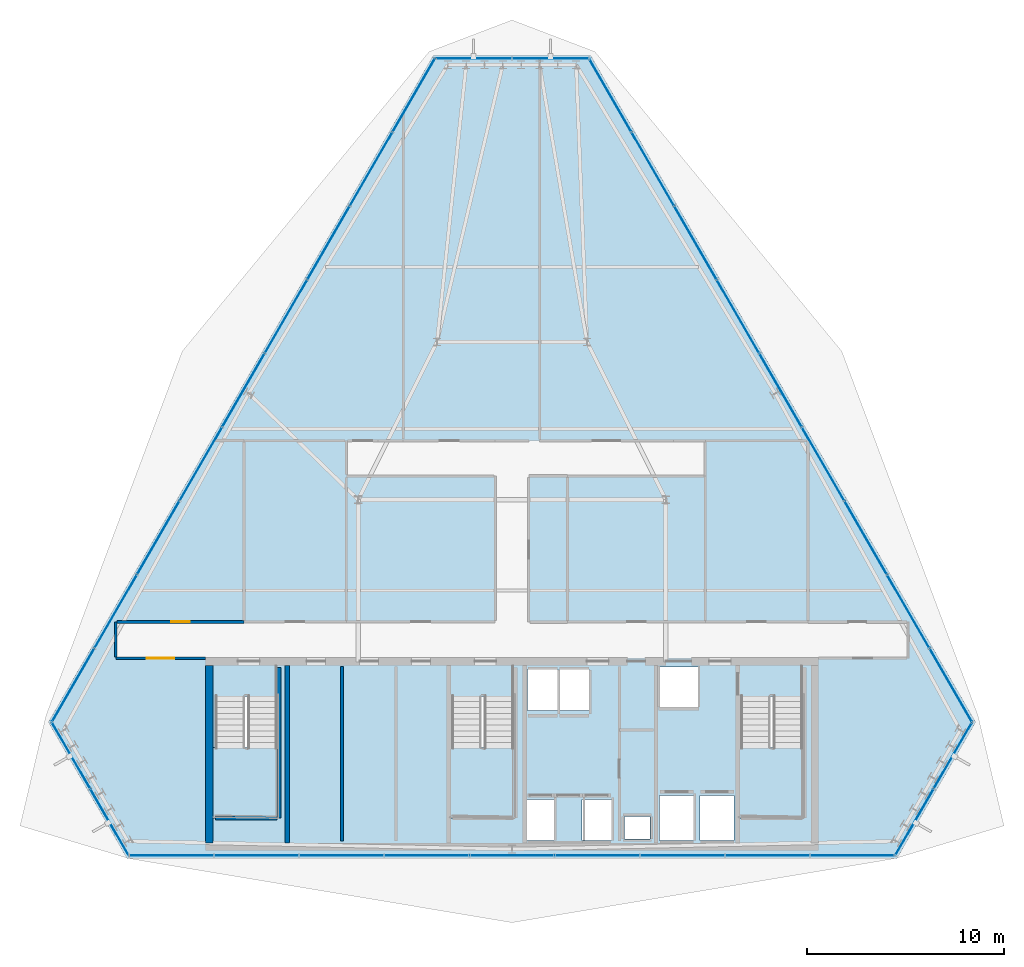
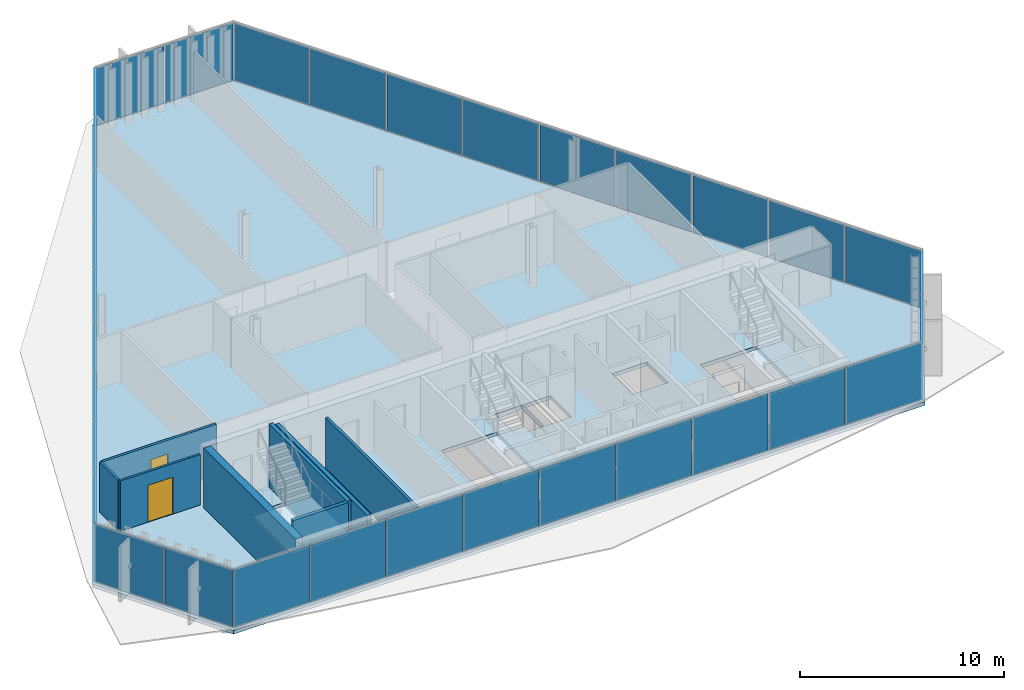
# One storey, part 28 of 37: 33 plates, 8 walls, 4 slabs, 2 doors, 2 openings, 9 elements without a shape of their own.
"""IFC4 building model written with IfcOpenShell, lengths in metres."""

import ifcopenshell
import ifcopenshell.guid

model = None  # the IFC model being written
_history = None  # IfcOwnerHistory: only IFC2X3 demands one
_inside = {}  # id of a spatial element -> (the spatial element, [elements in it])
_under = {}  # id of a project, library or spatial element -> (it, [spatial elements below it])
_declared = {}  # id of a project -> (the project, [libraries it declares])
_typed = {}  # id of a type object -> (the type object, [elements of that type])
_made_of = {}  # id of a material, layer set ... -> (it, [elements and type objects made of it])


def new_model(schema):
    """Start an empty IFC model of exactly this schema.

    Asked for "IFC4X3", IfcOpenShell would pick the latest addendum, in which some entities
    have other attributes; the version numbers below select the first issue.
    IFC2X3 requires an IfcOwnerHistory on every rooted entity: one is made here for all.
    """
    global model, _history
    if schema == "IFC4X3":
        model = ifcopenshell.file(schema_version=(4, 3, 0, 0))
    else:
        model = ifcopenshell.file(schema=schema)
    _inside.clear()
    _under.clear()
    _declared.clear()
    _typed.clear()
    _made_of.clear()
    _history = None
    if model.schema == "IFC2X3":
        org = make("IfcOrganization", Name="unknown")
        user = make(
            "IfcPersonAndOrganization",
            ThePerson=make("IfcPerson", FamilyName="unknown"),
            TheOrganization=org,
        )
        app = make(
            "IfcApplication",
            ApplicationDeveloper=org,
            Version="unknown",
            ApplicationFullName="unknown",
            ApplicationIdentifier="unknown",
        )
        _history = make(
            "IfcOwnerHistory",
            OwningUser=user,
            OwningApplication=app,
            ChangeAction="ADDED",
            CreationDate=0,
        )
    return model


def make(cls, **values):
    """One entity of the class cls with the attributes given. An attribute that is None is left unset."""
    return model.create_entity(
        cls, **{name: value for name, value in values.items() if value is not None}
    )


def rooted(cls, **values):
    """An entity with a GlobalId (a new one), such as an element, a storey or a relation."""
    return make(cls, GlobalId=ifcopenshell.guid.new(), OwnerHistory=_history, **values)


def si_unit(unit_type, name, prefix=None):
    """IfcSIUnit, for example si_unit("LENGTHUNIT", "METRE", prefix="MILLI")."""
    return make("IfcSIUnit", UnitType=unit_type, Prefix=prefix, Name=name)


def assignment(units):
    """IfcUnitAssignment: the units of a project."""
    return None if units is None else make("IfcUnitAssignment", Units=units)


def point(xyz):
    """IfcCartesianPoint."""
    return None if xyz is None else make("IfcCartesianPoint", Coordinates=xyz)


def direction(xyz):
    """IfcDirection."""
    return None if xyz is None else make("IfcDirection", DirectionRatios=xyz)


def frame(location, z_axis=None, x_axis=None):
    """IfcAxis2Placement3D, a coordinate frame: its origin and axes. An axis left out is left unset."""
    return make(
        "IfcAxis2Placement3D",
        Location=point(location),
        Axis=direction(z_axis),
        RefDirection=direction(x_axis),
    )


def frame_2d(location, x_axis=None):
    """IfcAxis2Placement2D, a coordinate frame in the plane: its origin and x axis."""
    return make(
        "IfcAxis2Placement2D", Location=point(location), RefDirection=direction(x_axis)
    )


def origin():
    """The frame at (0, 0, 0) with its axes left unset."""
    return frame((0.0, 0.0, 0.0))


def origin_2d():
    """The frame at (0, 0) in the plane with its x axis left unset."""
    return frame_2d((0.0, 0.0))


def place(relative_to, where):
    """IfcLocalPlacement: puts the frame where relative to a parent placement (None: the world)."""
    return make(
        "IfcLocalPlacement", PlacementRelTo=relative_to, RelativePlacement=where
    )


def context(
    kind, dimensions, precision=None, world=None, true_north=None, identifier=None
):
    """IfcGeometricRepresentationContext, for example the 3D "Model" context."""
    return make(
        "IfcGeometricRepresentationContext",
        ContextIdentifier=identifier,
        ContextType=kind,
        CoordinateSpaceDimension=dimensions,
        Precision=precision,
        WorldCoordinateSystem=world,
        TrueNorth=true_north,
    )


def subcontext(parent, identifier, kind, view, scale=None):
    """IfcGeometricRepresentationSubContext, for example "Body" below "Model"."""
    return make(
        "IfcGeometricRepresentationSubContext",
        ContextIdentifier=identifier,
        ContextType=kind,
        ParentContext=parent,
        TargetScale=scale,
        TargetView=view,
    )


def project(units=None, contexts=None):
    """IfcProject with its units and contexts."""
    return rooted(
        "IfcProject",
        Name="project",
        RepresentationContexts=contexts,
        UnitsInContext=assignment(units),
    )


def spatial(cls, under=None, at=None, **own):
    """A site, building, storey or space (cls), placed at a placement, below another one or the project."""
    s = rooted(cls, ObjectPlacement=at, **own)
    if under is not None:
        _under.setdefault(under.id(), (under, []))[1].append(s)
    return s


def polyline(points):
    """IfcPolyline through the points."""
    return make("IfcPolyline", Points=[point(p) for p in points])


def profile(cls, at=None, kind="AREA", **sizes):
    """A parametric profile (cls). Its sizes go by their IFC names, for example OverallWidth=200.0."""
    return make(cls, ProfileType=kind, Position=at, **sizes)


def rectangle(**sizes):
    """IfcRectangleProfileDef."""
    return profile("IfcRectangleProfileDef", **sizes)


def outline(outer, holes=None, kind="AREA"):
    """IfcArbitraryClosedProfileDef: a profile drawn as a closed curve; with holes, ...WithVoids."""
    if holes is None:
        return make("IfcArbitraryClosedProfileDef", ProfileType=kind, OuterCurve=outer)
    return make(
        "IfcArbitraryProfileDefWithVoids",
        ProfileType=kind,
        OuterCurve=outer,
        InnerCurves=holes,
    )


def extrude(swept, where, along, depth):
    """IfcExtrudedAreaSolid: the profile swept, set in the frame where, extruded along a direction by depth."""
    return make(
        "IfcExtrudedAreaSolid",
        SweptArea=swept,
        Position=where,
        ExtrudedDirection=direction(along),
        Depth=depth,
    )


def shape(context_of_items, identifier, shape_type, items):
    """IfcShapeRepresentation: the items that make up one representation, for example the "Body"."""
    return make(
        "IfcShapeRepresentation",
        ContextOfItems=context_of_items,
        RepresentationIdentifier=identifier,
        RepresentationType=shape_type,
        Items=items,
    )


def material(Name=None, Category=None):
    """IfcMaterial."""
    return make("IfcMaterial", Name=Name, Category=Category)


def layer(
    of_material, thickness, ventilated=None, Name=None, Category=None, Priority=None
):
    """IfcMaterialLayer: one layer of a wall or slab, of a material (None: an air gap)."""
    return make(
        "IfcMaterialLayer",
        Material=of_material,
        LayerThickness=thickness,
        IsVentilated=ventilated,
        Name=Name,
        Category=Category,
        Priority=Priority,
    )


def layer_set(layers, Name=None):
    """IfcMaterialLayerSet."""
    return make("IfcMaterialLayerSet", MaterialLayers=layers, LayerSetName=Name)


def made_of(thing, what):
    """Note that an element or type object is made of a material, layer set ...; save() writes the relation."""
    if what is not None:
        _made_of.setdefault(what.id(), (what, []))[1].append(thing)
    return thing


def type_object(cls, material=None, **own):
    """A type object (cls), such as IfcWallType, which elements share."""
    return made_of(rooted(cls, **own), material)


def element(
    cls,
    number,
    at=None,
    inside=None,
    cuts=None,
    type_object=None,
    material=None,
    context=None,
    identifier="Body",
    shape_type=None,
    held_by="IfcProductDefinitionShape",
    body=None,
    shapes=None,
    **own,
):
    """One element of the class cls, such as IfcWall. Its Tag is "e" and its number.

    at: its placement. inside: the storey or other place that contains it. cuts: it is an
    opening in that element (IfcRelVoidsElement). A single representation is given by context,
    identifier, shape_type and body (its items); several are given by shapes. held_by: the class
    of the entity that holds the representations. save() writes the other relations.
    """
    e = rooted(cls, Tag="e%d" % number, ObjectPlacement=at, **own)
    if body is not None:
        shapes = [shape(context, identifier, shape_type, body)]
    if shapes is not None:
        e.Representation = make(held_by, Representations=shapes)
    if inside is not None:
        _inside.setdefault(inside.id(), (inside, []))[1].append(e)
    if cuts is not None:
        rooted(
            "IfcRelVoidsElement", RelatingBuildingElement=cuts, RelatedOpeningElement=e
        )
    if type_object is not None:
        _typed.setdefault(type_object.id(), (type_object, []))[1].append(e)
    return made_of(e, material)


def fill(opening, filler):
    """IfcRelFillsElement: the door or window that sits in an opening."""
    return rooted(
        "IfcRelFillsElement",
        RelatingOpeningElement=opening,
        RelatedBuildingElement=filler,
    )


def aggregate(whole, parts):
    """IfcRelAggregates: a whole, such as a stair, and the parts it consists of."""
    return rooted("IfcRelAggregates", RelatingObject=whole, RelatedObjects=parts)


def save(model, path):
    """Write the relations noted so far, then the file.

    IfcRelAggregates (storeys below a building ...), IfcRelContainedInSpatialStructure (elements
    in a storey), IfcRelDefinesByType, IfcRelAssociatesMaterial and IfcRelDeclares: one each for
    every whole, place, type object, material and project.
    """
    for whole, parts in _under.values():
        aggregate(whole, parts)
    for where, things in _inside.values():
        rooted(
            "IfcRelContainedInSpatialStructure",
            RelatedElements=things,
            RelatingStructure=where,
        )
    for kind, things in _typed.values():
        rooted("IfcRelDefinesByType", RelatedObjects=things, RelatingType=kind)
    for what, things in _made_of.values():
        rooted("IfcRelAssociatesMaterial", RelatedObjects=things, RelatingMaterial=what)
    for by, libraries in _declared.values():
        rooted("IfcRelDeclares", RelatingContext=by, RelatedDefinitions=libraries)
    model.write(path)


model = new_model("IFC4")

# Units and contexts
model_context = context("Model", 3, precision=1e-05, world=origin(), true_north=direction((0.0, 1.0)))
body_context = subcontext(model_context, "Body", "Model", "MODEL_VIEW")
ifc_project = project(units=[si_unit("LENGTHUNIT", "METRE"), si_unit("AREAUNIT", "SQUARE_METRE"), si_unit("VOLUMEUNIT", "CUBIC_METRE"), si_unit("PLANEANGLEUNIT", "RADIAN"), si_unit("MASSUNIT", "GRAM", prefix="KILO")], contexts=[model_context])

# Site, building, storey
site_placement = place(None, origin())
site = spatial("IfcSite", under=ifc_project, at=site_placement, CompositionType="ELEMENT")
building_placement = place(site_placement, origin())
building = spatial("IfcBuilding", under=site, at=building_placement, Name="Ndaravel Arena Tower", CompositionType="ELEMENT")
storey_placement = place(building_placement, frame((0.0, 0.0, 218.0)))
storey = spatial("IfcBuildingStorey", under=building, at=storey_placement, Name="L52", CompositionType="ELEMENT", Elevation=218.0)

# Curtain wall, plate
ifc_material_1 = material(Name="Aluminium", Category="aluminium")
ifc_layer_1 = layer(ifc_material_1, 0.179931640625)
ifc_layer_set_1 = layer_set([ifc_layer_1], Name="Aluminium")
curtain_wall_type_1 = type_object("IfcCurtainWallType", Name="CW-SYS-01", PredefinedType="NOTDEFINED", material=ifc_layer_set_1)
curtain_wall_1_placement = place(storey_placement, origin())
curtain_wall_1 = element("IfcCurtainWall", 1, at=curtain_wall_1_placement, inside=storey, type_object=curtain_wall_type_1, Name="L52 Faceted Crystal Curtain Wall CW-L52-E02", PredefinedType="NOTDEFINED")
ifc_material_2 = material(Name="Glazing", Category="glass")
ifc_layer_2 = layer(ifc_material_2, 0.035888671875)
ifc_layer_set_2 = layer_set([ifc_layer_2], Name="Glazing")
plate_type_1 = type_object("IfcPlateType", Name="PLT-CW-OPVENT", PredefinedType="CURTAIN_PANEL", material=ifc_layer_set_2)
plate_1_placement = place(storey_placement, frame((64.359619140625, 10.228759765625, 0.06005859375), z_axis=(0.0, 0.0, 1.0), x_axis=(0.5, 0.866025403784, 0.0)))
plate_1 = element("IfcPlate", 2, at=plate_1_placement, type_object=plate_type_1, Name="CW-L52-E02 Operable Vent Sash Panel 02", PredefinedType="CURTAIN_PANEL", context=body_context, shape_type="SweptSolid", body=[
    extrude(rectangle(XDim=3.82177734375, YDim=0.035888671875, at=origin_2d()), origin(), (0.0, 0.0, 1.0), 3.4599609375),
])

curtain_wall_2_placement = place(storey_placement, origin())
curtain_wall_2 = element("IfcCurtainWall", 3, at=curtain_wall_2_placement, inside=storey, type_object=curtain_wall_type_1, Name="L52 Faceted Crystal Curtain Wall CW-L52-E04", PredefinedType="NOTDEFINED")
plate_2_placement = place(storey_placement, frame((40.049072265625, 45.57763671875, 0.06005859375), z_axis=(0.0, 0.0, 1.0), x_axis=(-1.0, 0.0, 0.0)))
plate_2 = element("IfcPlate", 4, at=plate_2_placement, type_object=plate_type_1, Name="CW-L52-E04 Operable Vent Sash Panel 02", PredefinedType="CURTAIN_PANEL", context=body_context, shape_type="SweptSolid", body=[
    extrude(rectangle(XDim=3.82177734375, YDim=0.035888671875, at=origin_2d()), origin(), (0.0, 0.0, 1.0), 3.4599609375),
])

ifc_material_3 = material(Name="Aluminium", Category="aluminium")
ifc_layer_3 = layer(ifc_material_3, 0.179931640625)
ifc_layer_set_3 = layer_set([ifc_layer_3], Name="Aluminium")
curtain_wall_type_2 = type_object("IfcCurtainWallType", Name="CW-SYS-02", PredefinedType="NOTDEFINED", material=ifc_layer_set_3)
curtain_wall_3_placement = place(storey_placement, origin())
curtain_wall_3 = element("IfcCurtainWall", 5, at=curtain_wall_3_placement, inside=storey, type_object=curtain_wall_type_2, Name="L52 Faceted Crystal Curtain Wall CW-L52-E06", PredefinedType="NOTDEFINED")
plate_3_placement = place(storey_placement, frame((21.59130859375, 6.849609375, 0.06005859375), z_axis=(0.0, 0.0, 1.0), x_axis=(0.5, -0.866025403784, 0.0)))
plate_3 = element("IfcPlate", 6, at=plate_3_placement, type_object=plate_type_1, Name="CW-L52-E06 Operable Vent Sash Panel 02", PredefinedType="CURTAIN_PANEL", context=body_context, shape_type="SweptSolid", body=[
    extrude(rectangle(XDim=3.82177734375, YDim=0.035888671875, at=origin_2d()), origin(), (0.0, 0.0, 1.0), 3.4599609375),
])

# Plate
ifc_material_4 = material(Name="Glazing", Category="glass")
ifc_layer_4 = layer(ifc_material_4, 0.031982421875)
ifc_layer_set_4 = layer_set([ifc_layer_4], Name="Glazing")
plate_type_2 = type_object("IfcPlateType", Name="PLT-GLZ-FRIT35", PredefinedType="CURTAIN_PANEL", material=ifc_layer_set_4)
plate_4_placement = place(storey_placement, frame((62.40869140625, 6.849609375, 0.06005859375), z_axis=(0.0, 0.0, 1.0), x_axis=(0.5, 0.866025403784, 0.0)))
plate_4 = element("IfcPlate", 7, at=plate_4_placement, type_object=plate_type_2, Name="CW-L52-E02 Vision Glass Panel 01", PredefinedType="CURTAIN_PANEL", context=body_context, shape_type="SweptSolid", body=[
    extrude(rectangle(XDim=3.82177734375, YDim=0.035888671875, at=origin_2d()), origin(), (0.0, 0.0, 1.0), 3.4599609375),
])

aggregate(curtain_wall_1, [plate_4, plate_1])

plate_5_placement = place(storey_placement, frame((43.950927734375, 45.57763671875, 0.06005859375), z_axis=(0.0, 0.0, 1.0), x_axis=(-1.0, 0.0, 0.0)))
plate_5 = element("IfcPlate", 8, at=plate_5_placement, type_object=plate_type_2, Name="CW-L52-E04 Vision Glass Panel 01", PredefinedType="CURTAIN_PANEL", context=body_context, shape_type="SweptSolid", body=[
    extrude(rectangle(XDim=3.82177734375, YDim=0.035888671875, at=origin_2d()), origin(), (0.0, 0.0, 1.0), 3.4599609375),
])

aggregate(curtain_wall_2, [plate_5, plate_2])

ifc_material_5 = material(Name="Glazing", Category="glass")
ifc_layer_5 = layer(ifc_material_5, 0.035888671875)
ifc_layer_set_5 = layer_set([ifc_layer_5], Name="Glazing")
plate_type_3 = type_object("IfcPlateType", Name="PLT-GLZ-FRIT55", PredefinedType="CURTAIN_PANEL", material=ifc_layer_set_5)
plate_6_placement = place(storey_placement, frame((19.640380859375, 10.228759765625, 0.06005859375), z_axis=(0.0, 0.0, 1.0), x_axis=(0.5, -0.866025403784, 0.0)))
plate_6 = element("IfcPlate", 9, at=plate_6_placement, type_object=plate_type_3, Name="CW-L52-E06 Vision Glass Panel 01", PredefinedType="CURTAIN_PANEL", context=body_context, shape_type="SweptSolid", body=[
    extrude(rectangle(XDim=3.82177734375, YDim=0.035888671875, at=origin_2d()), origin(), (0.0, 0.0, 1.0), 3.4599609375),
])

aggregate(curtain_wall_3, [plate_6, plate_3])

# Curtain wall, plates
ifc_material_6 = material(Name="Aluminium", Category="aluminium")
ifc_layer_6 = layer(ifc_material_6, 0.179931640625)
ifc_layer_set_6 = layer_set([ifc_layer_6], Name="Aluminium")
curtain_wall_type_3 = type_object("IfcCurtainWallType", Name="CW-SYS-03", PredefinedType="NOTDEFINED", material=ifc_layer_set_6)
curtain_wall_4_placement = place(storey_placement, origin())
curtain_wall_4 = element("IfcCurtainWall", 10, at=curtain_wall_4_placement, inside=storey, type_object=curtain_wall_type_3, Name="L52 Faceted Crystal Curtain Wall CW-L52-E01", PredefinedType="NOTDEFINED")
ifc_material_7 = material(Name="Glazing", Category="glass")
ifc_layer_7 = layer(ifc_material_7, 0.0400390625)
ifc_layer_set_7 = layer_set([ifc_layer_7], Name="Glazing")
plate_type_4 = type_object("IfcPlateType", Name="PLT-GLZ-LOWIRON", PredefinedType="CURTAIN_PANEL", material=ifc_layer_set_7)
plate_7_placement = place(storey_placement, frame((24.72607421875, 5.159912109375, 0.06005859375), z_axis=(0.0, 0.0, 1.0), x_axis=(1.0, 0.0, 0.0)))
plate_7 = element("IfcPlate", 11, at=plate_7_placement, type_object=plate_type_4, Name="CW-L52-E01 Vision Glass Panel 01", PredefinedType="CURTAIN_PANEL", context=body_context, shape_type="SweptSolid", body=[
    extrude(rectangle(XDim=4.238525390625, YDim=0.035888671875, at=origin_2d()), origin(), (0.0, 0.0, 1.0), 3.4599609375),
])
plate_8_placement = place(storey_placement, frame((29.04443359375, 5.159912109375, 0.06005859375), z_axis=(0.0, 0.0, 1.0), x_axis=(1.0, 0.0, 0.0)))
plate_8 = element("IfcPlate", 12, at=plate_8_placement, type_object=plate_type_4, Name="CW-L52-E01 Vision Glass Panel 02", PredefinedType="CURTAIN_PANEL", context=body_context, shape_type="SweptSolid", body=[
    extrude(rectangle(XDim=4.238525390625, YDim=0.035888671875, at=origin_2d()), origin(), (0.0, 0.0, 1.0), 3.4599609375),
])
plate_9_placement = place(storey_placement, frame((33.363037109375, 5.159912109375, 0.06005859375), z_axis=(0.0, 0.0, 1.0), x_axis=(1.0, 0.0, 0.0)))
plate_9 = element("IfcPlate", 13, at=plate_9_placement, type_object=plate_type_4, Name="CW-L52-E01 Vision Glass Panel 03", PredefinedType="CURTAIN_PANEL", context=body_context, shape_type="SweptSolid", body=[
    extrude(rectangle(XDim=4.238525390625, YDim=0.035888671875, at=origin_2d()), origin(), (0.0, 0.0, 1.0), 3.4599609375),
])
plate_10_placement = place(storey_placement, frame((37.681396484375, 5.159912109375, 0.06005859375), z_axis=(0.0, 0.0, 1.0), x_axis=(1.0, 0.0, 0.0)))
plate_10 = element("IfcPlate", 14, at=plate_10_placement, type_object=plate_type_4, Name="CW-L52-E01 Vision Glass Panel 04", PredefinedType="CURTAIN_PANEL", context=body_context, shape_type="SweptSolid", body=[
    extrude(rectangle(XDim=4.238525390625, YDim=0.035888671875, at=origin_2d()), origin(), (0.0, 0.0, 1.0), 3.4599609375),
])
plate_11_placement = place(storey_placement, frame((42.0, 5.159912109375, 0.06005859375), z_axis=(0.0, 0.0, 1.0), x_axis=(1.0, 0.0, 0.0)))
plate_11 = element("IfcPlate", 15, at=plate_11_placement, type_object=plate_type_4, Name="CW-L52-E01 Vision Glass Panel 05", PredefinedType="CURTAIN_PANEL", context=body_context, shape_type="SweptSolid", body=[
    extrude(rectangle(XDim=4.238525390625, YDim=0.035888671875, at=origin_2d()), origin(), (0.0, 0.0, 1.0), 3.4599609375),
])
plate_12_placement = place(storey_placement, frame((46.318603515625, 5.159912109375, 0.06005859375), z_axis=(0.0, 0.0, 1.0), x_axis=(1.0, 0.0, 0.0)))
plate_12 = element("IfcPlate", 16, at=plate_12_placement, type_object=plate_type_4, Name="CW-L52-E01 Vision Glass Panel 06", PredefinedType="CURTAIN_PANEL", context=body_context, shape_type="SweptSolid", body=[
    extrude(rectangle(XDim=4.238525390625, YDim=0.035888671875, at=origin_2d()), origin(), (0.0, 0.0, 1.0), 3.4599609375),
])
plate_13_placement = place(storey_placement, frame((50.636962890625, 5.159912109375, 0.06005859375), z_axis=(0.0, 0.0, 1.0), x_axis=(1.0, 0.0, 0.0)))
plate_13 = element("IfcPlate", 17, at=plate_13_placement, type_object=plate_type_4, Name="CW-L52-E01 Vision Glass Panel 07", PredefinedType="CURTAIN_PANEL", context=body_context, shape_type="SweptSolid", body=[
    extrude(rectangle(XDim=4.238525390625, YDim=0.035888671875, at=origin_2d()), origin(), (0.0, 0.0, 1.0), 3.4599609375),
])
plate_14_placement = place(storey_placement, frame((54.95556640625, 5.159912109375, 0.06005859375), z_axis=(0.0, 0.0, 1.0), x_axis=(1.0, 0.0, 0.0)))
plate_14 = element("IfcPlate", 18, at=plate_14_placement, type_object=plate_type_4, Name="CW-L52-E01 Vision Glass Panel 08", PredefinedType="CURTAIN_PANEL", context=body_context, shape_type="SweptSolid", body=[
    extrude(rectangle(XDim=4.238525390625, YDim=0.035888671875, at=origin_2d()), origin(), (0.0, 0.0, 1.0), 3.4599609375),
])
plate_15_placement = place(storey_placement, frame((59.27392578125, 5.159912109375, 0.06005859375), z_axis=(0.0, 0.0, 1.0), x_axis=(1.0, 0.0, 0.0)))
plate_15 = element("IfcPlate", 19, at=plate_15_placement, type_object=plate_type_4, Name="CW-L52-E01 Vision Glass Panel 09", PredefinedType="CURTAIN_PANEL", context=body_context, shape_type="SweptSolid", body=[
    extrude(rectangle(XDim=4.238525390625, YDim=0.035888671875, at=origin_2d()), origin(), (0.0, 0.0, 1.0), 3.4599609375),
])
aggregate(curtain_wall_4, [plate_7, plate_8, plate_9, plate_10, plate_11, plate_12, plate_13, plate_14, plate_15])

curtain_wall_5_placement = place(storey_placement, origin())
curtain_wall_5 = element("IfcCurtainWall", 20, at=curtain_wall_5_placement, inside=storey, type_object=curtain_wall_type_3, Name="L52 Faceted Crystal Curtain Wall CW-L52-E03", PredefinedType="NOTDEFINED")
plate_16_placement = place(storey_placement, frame((64.255615234375, 13.7880859375, 0.06005859375), z_axis=(0.0, 0.0, 1.0), x_axis=(-0.5, 0.866025403784, 0.0)))
plate_16 = element("IfcPlate", 21, at=plate_16_placement, type_object=plate_type_4, Name="CW-L52-E03 Vision Glass Panel 01", PredefinedType="CURTAIN_PANEL", context=body_context, shape_type="SweptSolid", body=[
    extrude(rectangle(XDim=4.238525390625, YDim=0.035888671875, at=origin_2d()), origin(), (0.0, 0.0, 1.0), 3.4599609375),
])
plate_17_placement = place(storey_placement, frame((62.09619140625, 17.528076171875, 0.06005859375), z_axis=(0.0, 0.0, 1.0), x_axis=(-0.5, 0.866025403784, 0.0)))
plate_17 = element("IfcPlate", 22, at=plate_17_placement, type_object=plate_type_4, Name="CW-L52-E03 Vision Glass Panel 02", PredefinedType="CURTAIN_PANEL", context=body_context, shape_type="SweptSolid", body=[
    extrude(rectangle(XDim=4.238525390625, YDim=0.035888671875, at=origin_2d()), origin(), (0.0, 0.0, 1.0), 3.4599609375),
])
plate_18_placement = place(storey_placement, frame((59.93701171875, 21.26806640625, 0.06005859375), z_axis=(0.0, 0.0, 1.0), x_axis=(-0.5, 0.866025403784, 0.0)))
plate_18 = element("IfcPlate", 23, at=plate_18_placement, type_object=plate_type_4, Name="CW-L52-E03 Vision Glass Panel 03", PredefinedType="CURTAIN_PANEL", context=body_context, shape_type="SweptSolid", body=[
    extrude(rectangle(XDim=4.238525390625, YDim=0.035888671875, at=origin_2d()), origin(), (0.0, 0.0, 1.0), 3.4599609375),
])
plate_19_placement = place(storey_placement, frame((57.777587890625, 25.008056640625, 0.06005859375), z_axis=(0.0, 0.0, 1.0), x_axis=(-0.5, 0.866025403784, 0.0)))
plate_19 = element("IfcPlate", 24, at=plate_19_placement, type_object=plate_type_4, Name="CW-L52-E03 Vision Glass Panel 04", PredefinedType="CURTAIN_PANEL", context=body_context, shape_type="SweptSolid", body=[
    extrude(rectangle(XDim=4.238525390625, YDim=0.035888671875, at=origin_2d()), origin(), (0.0, 0.0, 1.0), 3.4599609375),
])
plate_20_placement = place(storey_placement, frame((55.618408203125, 28.748046875, 0.06005859375), z_axis=(0.0, 0.0, 1.0), x_axis=(-0.5, 0.866025403784, 0.0)))
plate_20 = element("IfcPlate", 25, at=plate_20_placement, type_object=plate_type_4, Name="CW-L52-E03 Vision Glass Panel 05", PredefinedType="CURTAIN_PANEL", context=body_context, shape_type="SweptSolid", body=[
    extrude(rectangle(XDim=4.238525390625, YDim=0.035888671875, at=origin_2d()), origin(), (0.0, 0.0, 1.0), 3.4599609375),
])
plate_21_placement = place(storey_placement, frame((53.459228515625, 32.48779296875, 0.06005859375), z_axis=(0.0, 0.0, 1.0), x_axis=(-0.5, 0.866025403784, 0.0)))
plate_21 = element("IfcPlate", 26, at=plate_21_placement, type_object=plate_type_4, Name="CW-L52-E03 Vision Glass Panel 06", PredefinedType="CURTAIN_PANEL", context=body_context, shape_type="SweptSolid", body=[
    extrude(rectangle(XDim=4.238525390625, YDim=0.035888671875, at=origin_2d()), origin(), (0.0, 0.0, 1.0), 3.4599609375),
])
plate_22_placement = place(storey_placement, frame((51.2998046875, 36.227783203125, 0.06005859375), z_axis=(0.0, 0.0, 1.0), x_axis=(-0.5, 0.866025403784, 0.0)))
plate_22 = element("IfcPlate", 27, at=plate_22_placement, type_object=plate_type_4, Name="CW-L52-E03 Vision Glass Panel 07", PredefinedType="CURTAIN_PANEL", context=body_context, shape_type="SweptSolid", body=[
    extrude(rectangle(XDim=4.238525390625, YDim=0.035888671875, at=origin_2d()), origin(), (0.0, 0.0, 1.0), 3.4599609375),
])
plate_23_placement = place(storey_placement, frame((49.140625, 39.9677734375, 0.06005859375), z_axis=(0.0, 0.0, 1.0), x_axis=(-0.5, 0.866025403784, 0.0)))
plate_23 = element("IfcPlate", 28, at=plate_23_placement, type_object=plate_type_4, Name="CW-L52-E03 Vision Glass Panel 08", PredefinedType="CURTAIN_PANEL", context=body_context, shape_type="SweptSolid", body=[
    extrude(rectangle(XDim=4.238525390625, YDim=0.035888671875, at=origin_2d()), origin(), (0.0, 0.0, 1.0), 3.4599609375),
])
plate_24_placement = place(storey_placement, frame((46.9814453125, 43.707763671875, 0.06005859375), z_axis=(0.0, 0.0, 1.0), x_axis=(-0.5, 0.866025403784, 0.0)))
plate_24 = element("IfcPlate", 29, at=plate_24_placement, type_object=plate_type_4, Name="CW-L52-E03 Vision Glass Panel 09", PredefinedType="CURTAIN_PANEL", context=body_context, shape_type="SweptSolid", body=[
    extrude(rectangle(XDim=4.238525390625, YDim=0.035888671875, at=origin_2d()), origin(), (0.0, 0.0, 1.0), 3.4599609375),
])
aggregate(curtain_wall_5, [plate_16, plate_17, plate_18, plate_19, plate_20, plate_21, plate_22, plate_23, plate_24])

curtain_wall_6_placement = place(storey_placement, origin())
curtain_wall_6 = element("IfcCurtainWall", 30, at=curtain_wall_6_placement, inside=storey, type_object=curtain_wall_type_3, Name="L52 Faceted Crystal Curtain Wall CW-L52-E05", PredefinedType="NOTDEFINED")
plate_25_placement = place(storey_placement, frame((37.0185546875, 43.707763671875, 0.06005859375), z_axis=(0.0, 0.0, 1.0), x_axis=(-0.5, -0.866025403784, 0.0)))
plate_25 = element("IfcPlate", 31, at=plate_25_placement, type_object=plate_type_4, Name="CW-L52-E05 Vision Glass Panel 01", PredefinedType="CURTAIN_PANEL", context=body_context, shape_type="SweptSolid", body=[
    extrude(rectangle(XDim=4.238525390625, YDim=0.035888671875, at=origin_2d()), origin(), (0.0, 0.0, 1.0), 3.4599609375),
])
plate_26_placement = place(storey_placement, frame((34.859375, 39.9677734375, 0.06005859375), z_axis=(0.0, 0.0, 1.0), x_axis=(-0.5, -0.866025403784, 0.0)))
plate_26 = element("IfcPlate", 32, at=plate_26_placement, type_object=plate_type_4, Name="CW-L52-E05 Vision Glass Panel 02", PredefinedType="CURTAIN_PANEL", context=body_context, shape_type="SweptSolid", body=[
    extrude(rectangle(XDim=4.238525390625, YDim=0.035888671875, at=origin_2d()), origin(), (0.0, 0.0, 1.0), 3.4599609375),
])
plate_27_placement = place(storey_placement, frame((32.7001953125, 36.227783203125, 0.06005859375), z_axis=(0.0, 0.0, 1.0), x_axis=(-0.5, -0.866025403784, 0.0)))
plate_27 = element("IfcPlate", 33, at=plate_27_placement, type_object=plate_type_4, Name="CW-L52-E05 Vision Glass Panel 03", PredefinedType="CURTAIN_PANEL", context=body_context, shape_type="SweptSolid", body=[
    extrude(rectangle(XDim=4.238525390625, YDim=0.035888671875, at=origin_2d()), origin(), (0.0, 0.0, 1.0), 3.4599609375),
])
plate_28_placement = place(storey_placement, frame((30.540771484375, 32.48779296875, 0.06005859375), z_axis=(0.0, 0.0, 1.0), x_axis=(-0.5, -0.866025403784, 0.0)))
plate_28 = element("IfcPlate", 34, at=plate_28_placement, type_object=plate_type_4, Name="CW-L52-E05 Vision Glass Panel 04", PredefinedType="CURTAIN_PANEL", context=body_context, shape_type="SweptSolid", body=[
    extrude(rectangle(XDim=4.238525390625, YDim=0.035888671875, at=origin_2d()), origin(), (0.0, 0.0, 1.0), 3.4599609375),
])
plate_29_placement = place(storey_placement, frame((28.381591796875, 28.747802734375, 0.06005859375), z_axis=(0.0, 0.0, 1.0), x_axis=(-0.5, -0.866025403784, 0.0)))
plate_29 = element("IfcPlate", 35, at=plate_29_placement, type_object=plate_type_4, Name="CW-L52-E05 Vision Glass Panel 05", PredefinedType="CURTAIN_PANEL", context=body_context, shape_type="SweptSolid", body=[
    extrude(rectangle(XDim=4.238525390625, YDim=0.035888671875, at=origin_2d()), origin(), (0.0, 0.0, 1.0), 3.4599609375),
])
plate_30_placement = place(storey_placement, frame((26.222412109375, 25.008056640625, 0.06005859375), z_axis=(0.0, 0.0, 1.0), x_axis=(-0.5, -0.866025403784, 0.0)))
plate_30 = element("IfcPlate", 36, at=plate_30_placement, type_object=plate_type_4, Name="CW-L52-E05 Vision Glass Panel 06", PredefinedType="CURTAIN_PANEL", context=body_context, shape_type="SweptSolid", body=[
    extrude(rectangle(XDim=4.238525390625, YDim=0.035888671875, at=origin_2d()), origin(), (0.0, 0.0, 1.0), 3.4599609375),
])
plate_31_placement = place(storey_placement, frame((24.06298828125, 21.26806640625, 0.06005859375), z_axis=(0.0, 0.0, 1.0), x_axis=(-0.5, -0.866025403784, 0.0)))
plate_31 = element("IfcPlate", 37, at=plate_31_placement, type_object=plate_type_4, Name="CW-L52-E05 Vision Glass Panel 07", PredefinedType="CURTAIN_PANEL", context=body_context, shape_type="SweptSolid", body=[
    extrude(rectangle(XDim=4.238525390625, YDim=0.035888671875, at=origin_2d()), origin(), (0.0, 0.0, 1.0), 3.4599609375),
])
plate_32_placement = place(storey_placement, frame((21.90380859375, 17.528076171875, 0.06005859375), z_axis=(0.0, 0.0, 1.0), x_axis=(-0.5, -0.866025403784, 0.0)))
plate_32 = element("IfcPlate", 38, at=plate_32_placement, type_object=plate_type_4, Name="CW-L52-E05 Vision Glass Panel 08", PredefinedType="CURTAIN_PANEL", context=body_context, shape_type="SweptSolid", body=[
    extrude(rectangle(XDim=4.238525390625, YDim=0.035888671875, at=origin_2d()), origin(), (0.0, 0.0, 1.0), 3.4599609375),
])
plate_33_placement = place(storey_placement, frame((19.744384765625, 13.7880859375, 0.06005859375), z_axis=(0.0, 0.0, 1.0), x_axis=(-0.5, -0.866025403784, 0.0)))
plate_33 = element("IfcPlate", 39, at=plate_33_placement, type_object=plate_type_4, Name="CW-L52-E05 Vision Glass Panel 09", PredefinedType="CURTAIN_PANEL", context=body_context, shape_type="SweptSolid", body=[
    extrude(rectangle(XDim=4.238525390625, YDim=0.035888671875, at=origin_2d()), origin(), (0.0, 0.0, 1.0), 3.4599609375),
])
aggregate(curtain_wall_6, [plate_25, plate_26, plate_27, plate_28, plate_29, plate_30, plate_31, plate_32, plate_33])

# Stair, slab
ifc_material_8 = material(Name="Concrete C40/50", Category="concrete")
stair_type = type_object("IfcStairType", Name="STAIR-CORE-HT", PredefinedType="HALF_TURN_STAIR", material=ifc_material_8)
stair_1_placement = place(storey_placement, origin())
stair_1 = element("IfcStair", 40, at=stair_1_placement, inside=storey, type_object=stair_type, Name="L52 ST-1", PredefinedType="HALF_TURN_STAIR")
ifc_material_9 = material(Name="Concrete C40/50", Category="concrete")
ifc_layer_8 = layer(ifc_material_9, 0.199951171875)
ifc_layer_set_8 = layer_set([ifc_layer_8], Name="Concrete C40/50")
slab_type_1 = type_object("IfcSlabType", Name="SLAB-STAIR-LANDING", PredefinedType="LANDING", material=ifc_layer_set_8)
slab_1_placement = place(storey_placement, frame((0.0, 0.0, 1.699951171875)))
slab_1 = element("IfcSlab", 41, at=slab_1_placement, type_object=slab_type_1, Name="ST-1 landing 1", PredefinedType="LANDING", context=body_context, shape_type="SweptSolid", body=[
    extrude(outline(polyline([(26.81005859375, 10.6298828125), (26.81005859375, 7.070068359375), (30.169921875, 7.070068359375), (30.169921875, 10.6298828125), (26.81005859375, 10.6298828125)])), origin(), (0.0, 0.0, 1.0), 0.199951171875),
])
aggregate(stair_1, [slab_1])

stair_2_placement = place(storey_placement, origin())
stair_2 = element("IfcStair", 42, at=stair_2_placement, inside=storey, type_object=stair_type, Name="L52 ST-2", PredefinedType="HALF_TURN_STAIR")
slab_2_placement = place(storey_placement, frame((0.0, 0.0, 1.699951171875)))
slab_2 = element("IfcSlab", 43, at=slab_2_placement, type_object=slab_type_1, Name="ST-2 landing 1", PredefinedType="LANDING", context=body_context, shape_type="SweptSolid", body=[
    extrude(outline(polyline([(38.81005859375, 10.6298828125), (38.81005859375, 7.070068359375), (42.169921875, 7.070068359375), (42.169921875, 10.6298828125), (38.81005859375, 10.6298828125)])), origin(), (0.0, 0.0, 1.0), 0.199951171875),
])
aggregate(stair_2, [slab_2])

stair_3_placement = place(storey_placement, origin())
stair_3 = element("IfcStair", 44, at=stair_3_placement, inside=storey, type_object=stair_type, Name="L52 ST-3", PredefinedType="HALF_TURN_STAIR")
slab_3_placement = place(storey_placement, frame((0.0, 0.0, 1.699951171875)))
slab_3 = element("IfcSlab", 45, at=slab_3_placement, type_object=slab_type_1, Name="ST-3 landing 1", PredefinedType="LANDING", context=body_context, shape_type="SweptSolid", body=[
    extrude(outline(polyline([(53.4599609375, 10.6298828125), (53.4599609375, 7.070068359375), (56.820068359375, 7.070068359375), (56.820068359375, 10.6298828125), (53.4599609375, 10.6298828125)])), origin(), (0.0, 0.0, 1.0), 0.199951171875),
])
aggregate(stair_3, [slab_3])

# Slab
ifc_material_10 = material(Name="Concrete C40/50", Category="concrete")
ifc_layer_9 = layer(ifc_material_10, 0.219970703125)
ifc_layer_set_9 = layer_set([ifc_layer_9], Name="Concrete C40/50")
slab_type_2 = type_object("IfcSlabType", Name="SLAB-TWR-220", PredefinedType="FLOOR", material=ifc_layer_set_9)
slab_4_placement = place(storey_placement, frame((0.0, 0.0, -0.219970703125)))
element("IfcSlab", 46, at=slab_4_placement, inside=storey, type_object=slab_type_2, Name="L52 Structural Floor Slab", PredefinedType="FLOOR", context=body_context, shape_type="SweptSolid", body=[
    extrude(outline(polyline([(18.47998046875, 11.918212890625), (22.474365234375, 5.0), (61.525634765625, 5.0), (65.52001953125, 11.918212890625), (45.994140625, 45.73779296875), (38.005859375, 45.73779296875), (18.47998046875, 11.918212890625)]), holes=[polyline([(26.949951171875, 13.215087890625), (26.949951171875, 7.14990234375), (30.090087890625, 7.14990234375), (30.090087890625, 13.215087890625), (26.949951171875, 13.215087890625)]), polyline([(38.949951171875, 13.215087890625), (38.949951171875, 7.14990234375), (42.090087890625, 7.14990234375), (42.090087890625, 13.215087890625), (38.949951171875, 13.215087890625)]), polyline([(53.60009765625, 13.215087890625), (53.60009765625, 7.14990234375), (56.739990234375, 7.14990234375), (56.739990234375, 13.215087890625), (53.60009765625, 13.215087890625)]), polyline([(42.659912109375, 5.909912109375), (44.139892578125, 5.909912109375), (44.139892578125, 7.989990234375), (42.659912109375, 7.989990234375), (42.659912109375, 5.909912109375)]), polyline([(45.56005859375, 5.909912109375), (47.0400390625, 5.909912109375), (47.0400390625, 7.989990234375), (45.56005859375, 7.989990234375), (45.56005859375, 5.909912109375)]), polyline([(42.784912109375, 12.510009765625), (44.31494140625, 12.510009765625), (44.31494140625, 14.590087890625), (42.784912109375, 14.590087890625), (42.784912109375, 12.510009765625)]), polyline([(44.385009765625, 12.510009765625), (45.9150390625, 12.510009765625), (45.9150390625, 14.590087890625), (44.385009765625, 14.590087890625), (44.385009765625, 12.510009765625)]), polyline([(49.485107421875, 5.909912109375), (51.215087890625, 5.909912109375), (51.215087890625, 8.18994140625), (49.485107421875, 8.18994140625), (49.485107421875, 5.909912109375)]), polyline([(51.534912109375, 5.909912109375), (53.264892578125, 5.909912109375), (53.264892578125, 8.18994140625), (51.534912109375, 8.18994140625), (51.534912109375, 5.909912109375)]), polyline([(49.4599609375, 12.68505859375), (51.43994140625, 12.68505859375), (51.43994140625, 14.715087890625), (49.4599609375, 14.715087890625), (49.4599609375, 12.68505859375)]), polyline([(47.699951171875, 6.0), (49.0, 6.0), (49.0, 7.139892578125), (47.699951171875, 7.139892578125), (47.699951171875, 6.0)])]), origin(), (0.0, 0.0, 1.0), 0.219970703125),
])

# Walls
ifc_material_11 = material(Name="Gypsum", Category="gypsum")
ifc_layer_10 = layer(ifc_material_11, 0.14990234375)
ifc_layer_set_10 = layer_set([ifc_layer_10], Name="Gypsum")
wall_type_1 = type_object("IfcWallType", Name="WALL-COMP-150", PredefinedType="PARTITIONING", material=ifc_layer_set_10)
wall_1_placement = place(storey_placement, frame((33.3798828125, 5.89990234375, 0.0), z_axis=(0.0, 0.0, 1.0), x_axis=(0.0, 1.0, 0.0)))
element("IfcWall", 47, at=wall_1_placement, inside=storey, type_object=wall_type_1, Name="L52 High-Zone Core Divider 1", PredefinedType="PARTITIONING", context=body_context, shape_type="SweptSolid", body=[
    extrude(rectangle(XDim=8.85009765625, YDim=0.14990234375, at=frame_2d((4.425048828125, 0.0))), origin(), (0.0, 0.0, 1.0), 3.010498046875),
])
ifc_material_12 = material(Name="Concrete C50/60", Category="concrete")
ifc_layer_11 = layer(ifc_material_12, 0.219970703125)
ifc_layer_set_11 = layer_set([ifc_layer_11], Name="Concrete C50/60")
wall_type_2 = type_object("IfcWallType", Name="WALL-CORE-220", PredefinedType="SOLIDWALL", material=ifc_layer_set_11)
wall_2_placement = place(storey_placement, frame((30.60009765625, 5.800048828125, 0.0), z_axis=(0.0, 0.0, 1.0), x_axis=(0.0, 1.0, 0.0)))
element("IfcWall", 48, at=wall_2_placement, inside=storey, type_object=wall_type_2, Name="L52 Core Web Shear Wall 1", PredefinedType="SOLIDWALL", context=body_context, shape_type="SweptSolid", body=[
    extrude(rectangle(XDim=9.0, YDim=0.219970703125, at=frame_2d((4.5, 0.0))), origin(), (0.0, 0.0, 1.0), 3.580078125),
])
ifc_material_13 = material(Name="Concrete C50/60", Category="concrete")
ifc_layer_12 = layer(ifc_material_13, 0.39990234375)
ifc_layer_set_12 = layer_set([ifc_layer_12], Name="Concrete C50/60")
wall_type_3 = type_object("IfcWallType", Name="WALL-CORE-400", PredefinedType="SOLIDWALL", material=ifc_layer_set_12)
wall_3_placement = place(storey_placement, frame((26.64990234375, 5.800048828125, 0.0), z_axis=(0.0, 0.0, 1.0), x_axis=(0.0, 1.0, 0.0)))
element("IfcWall", 49, at=wall_3_placement, inside=storey, type_object=wall_type_3, Name="L52 Core West Shear Wall", PredefinedType="SOLIDWALL", context=body_context, shape_type="SweptSolid", body=[
    extrude(rectangle(XDim=9.0, YDim=0.39990234375, at=frame_2d((4.5, 0.0))), origin(), (0.0, 0.0, 1.0), 3.580078125),
])

# Wall, opening, door
ifc_material_14 = material(Name="Gypsum", Category="gypsum")
ifc_layer_13 = layer(ifc_material_14, 0.125)
ifc_layer_set_13 = layer_set([ifc_layer_13], Name="Gypsum")
wall_type_4 = type_object("IfcWallType", Name="WALL-PART-125", PredefinedType="PARTITIONING", material=ifc_layer_set_13)
wall_4_placement = place(storey_placement, frame((26.449951171875, 15.14990234375, 0.0), z_axis=(0.0, 0.0, 1.0), x_axis=(-1.0, 0.0, 0.0)))
wall_4 = element("IfcWall", 50, at=wall_4_placement, inside=storey, type_object=wall_type_4, Name="L52 Interior Partition 003", PredefinedType="PARTITIONING", context=body_context, shape_type="SweptSolid", body=[
    extrude(rectangle(XDim=4.541015625, YDim=0.125, at=frame_2d((2.2705078125, 0.0))), origin(), (0.0, 0.0, 1.0), 3.010498046875),
])
opening_1_placement = place(wall_4_placement, frame((1.570556640625, 0.0, 0.0)))
opening_1 = element("IfcOpeningElement", 51, at=opening_1_placement, cuts=wall_4, Name="Opening ID-02", PredefinedType="OPENING", context=body_context, shape_type="SweptSolid", body=[
    extrude(rectangle(XDim=1.39990234375, YDim=2.199951171875, at=frame_2d((0.699951171875, 1.10009765625))), frame((0.0, 0.0625, 0.0), z_axis=(0.0, -1.0, 0.0), x_axis=(1.0, 0.0, 0.0)), (0.0, 0.0, 1.0), 0.125),
])
ifc_material_15 = material(Name="Timber", Category="wood")
door_type_1 = type_object("IfcDoorType", Name="DT-04-SUITE-1400", OperationType="DOUBLE_DOOR_SINGLE_SWING", PredefinedType="DOOR", material=ifc_material_15)
door_1_placement = place(opening_1_placement, origin())
door_1 = element("IfcDoor", 52, at=door_1_placement, inside=storey, type_object=door_type_1, Name="L52 Collaborative Lounge Door", OperationType="SINGLE_SWING_LEFT", OverallHeight=2.199951171875, OverallWidth=1.39990234375, PredefinedType="DOOR", context=body_context, shape_type="SweptSolid", body=[
    extrude(rectangle(XDim=1.39990234375, YDim=2.199951171875, at=frame_2d((0.699951171875, 1.10009765625))), frame((0.0, 0.02490234375, 0.0), z_axis=(0.0, -1.0, 0.0), x_axis=(1.0, 0.0, 0.0)), (0.0, 0.0, 1.0), 0.050048828125),
])
fill(opening_1, door_1)

# Walls
wall_5_placement = place(storey_placement, frame((21.908935546875, 15.215087890625, 0.0), z_axis=(0.0, 0.0, 1.0), x_axis=(0.0, 1.0, 0.0)))
element("IfcWall", 53, at=wall_5_placement, inside=storey, type_object=wall_type_4, Name="L52 Interior Partition 004", PredefinedType="PARTITIONING", context=body_context, shape_type="SweptSolid", body=[
    extrude(rectangle(XDim=1.784912109375, YDim=0.125, at=frame_2d((0.892578125, 0.0))), origin(), (0.0, 0.0, 1.0), 3.010498046875),
])
ifc_material_16 = material(Name="Concrete C40/50", Category="concrete")
ifc_layer_14 = layer(ifc_material_16, 0.199951171875)
ifc_layer_set_14 = layer_set([ifc_layer_14], Name="Concrete C40/50")
wall_type_5 = type_object("IfcWallType", Name="WALL-SHAFT-200", PredefinedType="SOLIDWALL", material=ifc_layer_set_14)
wall_6_placement = place(storey_placement, frame((30.18994140625, 14.699951171875, 0.0), z_axis=(0.0, 0.0, 1.0), x_axis=(0.0, -1.0, 0.0)))
element("IfcWall", 54, at=wall_6_placement, inside=storey, type_object=wall_type_5, Name="L52 ST-1 Structural Shaft Wall Right", PredefinedType="SOLIDWALL", context=body_context, shape_type="SweptSolid", body=[
    extrude(rectangle(XDim=7.64990234375, YDim=0.199951171875, at=frame_2d((3.824951171875, 0.0))), origin(), (0.0, 0.0, 1.0), 3.800048828125),
])
wall_7_placement = place(storey_placement, frame((26.969970703125, 7.050048828125, 0.0), z_axis=(0.0, 0.0, 1.0), x_axis=(1.0, 0.0, 0.0)))
element("IfcWall", 55, at=wall_7_placement, inside=storey, type_object=wall_type_5, Name="L52 ST-1 Structural Shaft Wall Far", PredefinedType="SOLIDWALL", context=body_context, shape_type="SweptSolid", body=[
    extrude(rectangle(XDim=3.114990234375, YDim=0.199951171875, at=frame_2d((1.5576171875, 0.0))), origin(), (0.0, 0.0, 1.0), 3.800048828125),
])

# Wall, opening, door
ifc_material_17 = material(Name="Masonry", Category="masonry")
ifc_layer_15 = layer(ifc_material_17, 0.14990234375)
ifc_layer_set_15 = layer_set([ifc_layer_15], Name="Masonry")
wall_type_6 = type_object("IfcWallType", Name="WALL-WET-150", PredefinedType="PARTITIONING", material=ifc_layer_set_15)
wall_8_placement = place(storey_placement, frame((21.97412109375, 17.0, 0.0), z_axis=(0.0, 0.0, 1.0), x_axis=(1.0, 0.0, 0.0)))
wall_8 = element("IfcWall", 56, at=wall_8_placement, inside=storey, type_object=wall_type_6, Name="L52 Interior Partition 005", PredefinedType="PARTITIONING", context=body_context, shape_type="SweptSolid", body=[
    extrude(rectangle(XDim=6.42578125, YDim=0.14990234375, at=frame_2d((3.212890625, 0.0))), origin(), (0.0, 0.0, 1.0), 3.010498046875),
])
opening_2_placement = place(wall_8_placement, frame((2.738037109375, 0.0, 0.0)))
opening_2 = element("IfcOpeningElement", 57, at=opening_2_placement, cuts=wall_8, Name="Opening FD-03", PredefinedType="OPENING", context=body_context, shape_type="SweptSolid", body=[
    extrude(rectangle(XDim=0.949951171875, YDim=2.199951171875, at=frame_2d((0.47509765625, 1.10009765625))), frame((0.0, 0.074951171875, 0.0), z_axis=(0.0, -1.0, 0.0), x_axis=(1.0, 0.0, 0.0)), (0.0, 0.0, 1.0), 0.14990234375),
])
ifc_material_18 = material(Name="Steel S355", Category="steel")
door_type_2 = type_object("IfcDoorType", Name="DT-11-CORE-950", OperationType="SINGLE_SWING_LEFT", PredefinedType="DOOR", material=ifc_material_18)
door_2_placement = place(opening_2_placement, origin())
door_2 = element("IfcDoor", 58, at=door_2_placement, inside=storey, type_object=door_type_2, Name="L52 Staff Espresso Kitchen Door", OperationType="SINGLE_SWING_RIGHT", OverallHeight=2.199951171875, OverallWidth=0.949951171875, PredefinedType="DOOR", context=body_context, shape_type="SweptSolid", body=[
    extrude(rectangle(XDim=0.949951171875, YDim=2.199951171875, at=frame_2d((0.47509765625, 1.10009765625))), frame((0.0, 0.02490234375, 0.0), z_axis=(0.0, -1.0, 0.0), x_axis=(1.0, 0.0, 0.0)), (0.0, 0.0, 1.0), 0.050048828125),
])
fill(opening_2, door_2)

save(model, "model.ifc")
